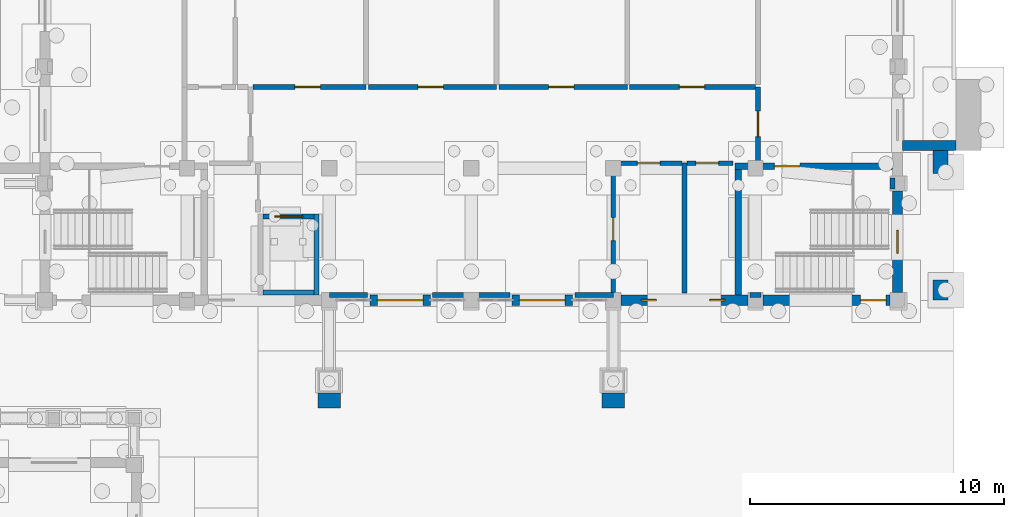
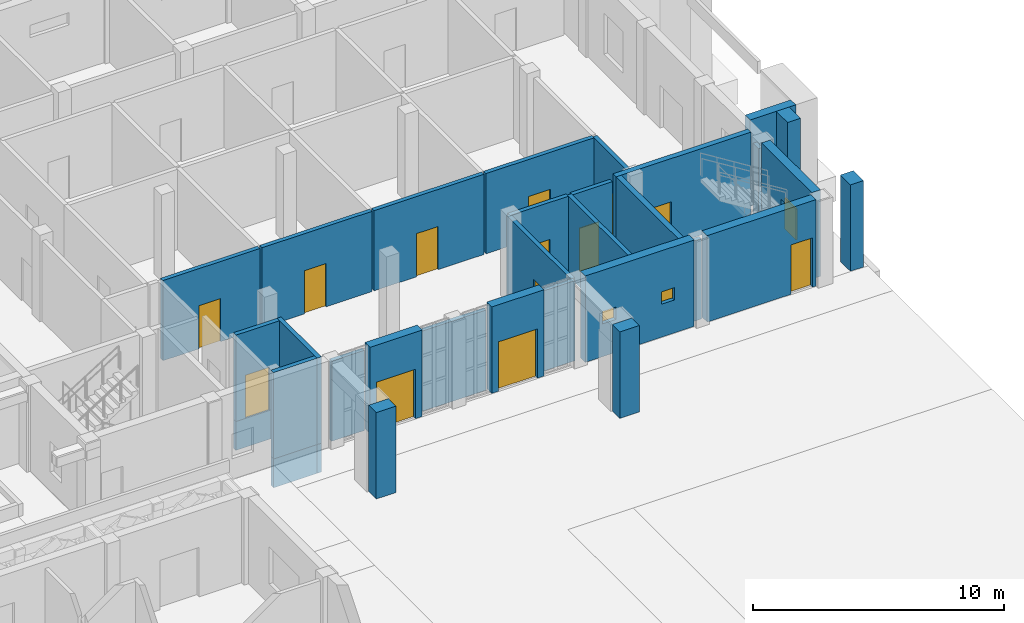
# One storey, part 75 of 112: 32 walls, 13 doors, 3 windows, 16 openings.
"""IFC4 building model written with IfcOpenShell, lengths in metres."""

from ifc_helpers import new_model, si_unit, direction, frame, frame_2d, origin, place, context, subcontext, project, spatial, rectangle, extrude, material, layer, layer_set, type_object, element, fill, save


model = new_model("IFC4")

# Units and contexts
model_context = context("Model", 3, precision=1e-05, world=origin(), true_north=direction((0.0, 1.0)))
body_context = subcontext(model_context, "Body", "Model", "MODEL_VIEW")
ifc_project = project(units=[si_unit("LENGTHUNIT", "METRE"), si_unit("AREAUNIT", "SQUARE_METRE"), si_unit("VOLUMEUNIT", "CUBIC_METRE"), si_unit("PLANEANGLEUNIT", "RADIAN"), si_unit("MASSUNIT", "GRAM", prefix="KILO")], contexts=[model_context])

# Site, building, storey
site_placement = place(None, origin())
site = spatial("IfcSite", under=ifc_project, at=site_placement, CompositionType="ELEMENT")
building_placement = place(site_placement, origin())
building = spatial("IfcBuilding", under=site, at=building_placement, Name="Wasatch Bagh Community Centre", CompositionType="ELEMENT")
storey_placement = place(building_placement, origin())
storey = spatial("IfcBuildingStorey", under=building, at=storey_placement, Name="L00", CompositionType="ELEMENT", Elevation=0.0)

# Walls
ifc_material_1 = material(Name="Concrete C40", Category="concrete")
ifc_layer_1 = layer(ifc_material_1, 0.60009765625)
ifc_layer_set_1 = layer_set([ifc_layer_1], Name="Concrete C40")
wall_type_1 = type_object("IfcWallType", Name="CL-W4", PredefinedType="STANDARD", material=ifc_layer_set_1)
for number, where, z_axis, x_axis, name in (
    (1, (122.949951171875, 34.25, 0.0), (0.0, 0.0, 1.0), (1.0, 0.0, 0.0), "CL-W4 pier buttress SHP1"),
    (2, (134.14990234375, 34.25, 0.0), (0.0, 0.0, 1.0), (1.0, 0.0, 0.0), "CL-W4 pier buttress SHP2"),
):
    element("IfcWall", number, at=place(storey_placement, frame(where, z_axis=z_axis, x_axis=x_axis)), inside=storey, type_object=wall_type_1, Name=name, PredefinedType="STANDARD", context=body_context, shape_type="SweptSolid", body=[
        extrude(rectangle(XDim=0.900146484375, YDim=0.60009765625, at=frame_2d((0.4501953125, 0.0))), origin(), (0.0, 0.0, 1.0), 4.199951171875),
    ])
ifc_layer_2 = layer(ifc_material_1, 0.199951171875)
ifc_layer_set_2 = layer_set([ifc_layer_2], Name="Concrete C40")
wall_type_2 = type_object("IfcWallType", Name="SH RC WALL 200 shear", PredefinedType="SHEAR", material=ifc_layer_set_2)
wall_1_placement = place(storey_placement, frame((122.89990234375, 38.39990234375, 0.0), z_axis=(0.0, 0.0, 1.0), x_axis=(0.0, 1.0, 0.0)))
element("IfcWall", 3, at=wall_1_placement, inside=storey, type_object=wall_type_2, Name="SH.core.LF1.L00.E", PredefinedType="SHEAR", context=body_context, shape_type="SweptSolid", body=[
    extrude(rectangle(XDim=3.2001953125, YDim=0.199951171875, at=frame_2d((1.60009765625, 0.0))), origin(), (0.0, 0.0, 1.0), 4.199951171875),
])
wall_2_placement = place(storey_placement, frame((120.800048828125, 38.5, 0.0), z_axis=(0.0, 0.0, 1.0), x_axis=(1.0, 0.0, 0.0)))
element("IfcWall", 4, at=wall_2_placement, inside=storey, type_object=wall_type_2, Name="SH.core.LF1.L00.S", PredefinedType="SHEAR", context=body_context, shape_type="SweptSolid", body=[
    extrude(rectangle(XDim=2.0, YDim=0.199951171875, at=frame_2d((1.0, 0.0))), origin(), (0.0, 0.0, 1.0), 4.199951171875),
])

# Wall, opening, door
wall_3_placement = place(storey_placement, frame((120.800048828125, 41.5, 0.0), z_axis=(0.0, 0.0, 1.0), x_axis=(1.0, 0.0, 0.0)))
wall_3 = element("IfcWall", 5, at=wall_3_placement, inside=storey, type_object=wall_type_2, Name="SH.core.LF1.L00.N", PredefinedType="SHEAR", context=body_context, shape_type="SweptSolid", body=[
    extrude(rectangle(XDim=2.0, YDim=0.199951171875, at=frame_2d((1.0, 0.0))), origin(), (0.0, 0.0, 1.0), 4.199951171875),
])
opening_1_placement = place(wall_3_placement, frame((0.449951171875, 0.0, 0.0)))
opening_1 = element("IfcOpeningElement", 6, at=opening_1_placement, cuts=wall_3, Name="Opening 0S-08", PredefinedType="OPENING", context=body_context, shape_type="SweptSolid", body=[
    extrude(rectangle(XDim=1.10009765625, YDim=2.10009765625, at=frame_2d((0.550048828125, 1.050048828125))), frame((0.0, 0.10986328125, 0.0), z_axis=(0.0, -1.0, 0.0), x_axis=(1.0, 0.0, 0.0)), (0.0, 0.0, 1.0), 0.219970703125),
])
ifc_material_2 = material(Name="Stainless steel", Category="steel")
door_type_1 = type_object("IfcDoorType", Name="SH door 1100x2100 landing", OperationType="SLIDING_TO_LEFT", PredefinedType="DOOR", material=ifc_material_2)
door_1_placement = place(opening_1_placement, origin())
door_1 = element("IfcDoor", 7, at=door_1_placement, inside=storey, type_object=door_type_1, Name="SH.door.L00.0S-08", OperationType="SLIDING_TO_LEFT", OverallHeight=2.10009765625, OverallWidth=1.10009765625, PredefinedType="DOOR", context=body_context, shape_type="SweptSolid", body=[
    extrude(rectangle(XDim=1.10009765625, YDim=2.10009765625, at=frame_2d((0.550048828125, 1.050048828125))), frame((0.0, 0.02490234375, 0.0), z_axis=(0.0, -1.0, 0.0), x_axis=(1.0, 0.0, 0.0)), (0.0, 0.0, 1.0), 0.050048828125),
])
fill(opening_1, door_1)

# Walls
wall_4_placement = place(storey_placement, frame((122.89990234375, 38.39990234375, -1.39990234375), z_axis=(0.0, 0.0, 1.0), x_axis=(0.0, 1.0, 0.0)))
element("IfcWall", 8, at=wall_4_placement, inside=storey, type_object=wall_type_2, Name="SH.core.LF1.PIT.E", PredefinedType="SHEAR", context=body_context, shape_type="SweptSolid", body=[
    extrude(rectangle(XDim=3.2001953125, YDim=0.199951171875, at=frame_2d((1.60009765625, 0.0))), origin(), (0.0, 0.0, 1.0), 1.39990234375),
])
for number, where, z_axis, x_axis, name in (
    (9, (120.800048828125, 38.5, -1.39990234375), (0.0, 0.0, 1.0), (1.0, 0.0, 0.0), "SH.core.LF1.PIT.S"),
    (10, (120.800048828125, 41.5, -1.39990234375), (0.0, 0.0, 1.0), (1.0, 0.0, 0.0), "SH.core.LF1.PIT.N"),
):
    element("IfcWall", number, at=place(storey_placement, frame(where, z_axis=z_axis, x_axis=x_axis)), inside=storey, type_object=wall_type_2, Name=name, PredefinedType="SHEAR", context=body_context, shape_type="SweptSolid", body=[
        extrude(rectangle(XDim=2.0, YDim=0.199951171875, at=frame_2d((1.0, 0.0))), origin(), (0.0, 0.0, 1.0), 1.39990234375),
    ])
ifc_layer_3 = layer(ifc_material_1, 0.25)
ifc_layer_set_3 = layer_set([ifc_layer_3], Name="Concrete C40")
wall_type_3 = type_object("IfcWallType", Name="SH RC WALL 250 shear", PredefinedType="SHEAR", material=ifc_layer_set_3)
wall_5_placement = place(storey_placement, frame((139.52490234375, 38.39990234375, 0.0), z_axis=(0.0, 0.0, 1.0), x_axis=(0.0, 1.0, 0.0)))
element("IfcWall", 11, at=wall_5_placement, inside=storey, type_object=wall_type_3, Name="SH.core.ST2.L00.W", PredefinedType="SHEAR", context=body_context, shape_type="SweptSolid", body=[
    extrude(rectangle(XDim=4.9501953125, YDim=0.25, at=frame_2d((2.47509765625, 0.0))), origin(), (0.0, 0.0, 1.0), 4.199951171875),
])

# Wall, opening, door
wall_6_placement = place(storey_placement, frame((139.39990234375, 43.47509765625, 0.0), z_axis=(0.0, 0.0, 1.0), x_axis=(1.0, 0.0, 0.0)))
wall_6 = element("IfcWall", 12, at=wall_6_placement, inside=storey, type_object=wall_type_3, Name="SH.core.ST2.L00.N", PredefinedType="SHEAR", context=body_context, shape_type="SweptSolid", body=[
    extrude(rectangle(XDim=6.2001953125, YDim=0.25, at=frame_2d((3.10009765625, 0.0))), origin(), (0.0, 0.0, 1.0), 4.199951171875),
])
opening_2_placement = place(wall_6_placement, frame((1.550048828125, 0.0, 0.0)))
opening_2 = element("IfcOpeningElement", 13, at=opening_2_placement, cuts=wall_6, Name="Opening 0S-29", PredefinedType="OPENING", context=body_context, shape_type="SweptSolid", body=[
    extrude(rectangle(XDim=1.0, YDim=2.10009765625, at=frame_2d((0.5, 1.050048828125))), frame((0.0, 0.135009765625, 0.0), z_axis=(0.0, -1.0, 0.0), x_axis=(1.0, 0.0, 0.0)), (0.0, 0.0, 1.0), 0.27001953125),
])
ifc_material_3 = material(Name="Painted hardwood timber", Category="wood")
door_type_2 = type_object("IfcDoorType", Name="SH door 1000x2100 single", OperationType="SINGLE_SWING_LEFT", PredefinedType="DOOR", material=ifc_material_3)
door_2_placement = place(opening_2_placement, origin())
door_2 = element("IfcDoor", 14, at=door_2_placement, inside=storey, type_object=door_type_2, Name="SH.door.L00.0S-29", OperationType="SINGLE_SWING_LEFT", OverallHeight=2.10009765625, OverallWidth=1.0, PredefinedType="DOOR", context=body_context, shape_type="SweptSolid", body=[
    extrude(rectangle(XDim=1.0, YDim=2.10009765625, at=frame_2d((0.5, 1.050048828125))), frame((0.0, 0.02490234375, 0.0), z_axis=(0.0, -1.0, 0.0), x_axis=(1.0, 0.0, 0.0)), (0.0, 0.0, 1.0), 0.050048828125),
])
fill(opening_2, door_2)

ifc_layer_4 = layer(ifc_material_1, 0.39990234375)
ifc_layer_set_4 = layer_set([ifc_layer_4], Name="Concrete C40")
wall_type_4 = type_object("IfcWallType", Name="SH RC WALL 400 solidwall", PredefinedType="SOLIDWALL", material=ifc_layer_set_4)
wall_7_placement = place(storey_placement, frame((127.39990234375, 38.199951171875, 0.0), z_axis=(0.0, 0.0, 1.0), x_axis=(-1.0, 0.0, 0.0)))
wall_7 = element("IfcWall", 15, at=wall_7_placement, inside=storey, type_object=wall_type_4, Name="SH.wall.L00.03", PredefinedType="SOLIDWALL", context=body_context, shape_type="SweptSolid", body=[
    extrude(rectangle(XDim=2.39990234375, YDim=0.39990234375, at=frame_2d((1.199951171875, 0.0))), origin(), (0.0, 0.0, 1.0), 4.199951171875),
])
opening_3_placement = place(wall_7_placement, frame((0.300048828125, 0.0, 0.0)))
opening_3 = element("IfcOpeningElement", 16, at=opening_3_placement, cuts=wall_7, Name="Opening 0S-01", PredefinedType="OPENING", context=body_context, shape_type="SweptSolid", body=[
    extrude(rectangle(XDim=1.800048828125, YDim=2.39990234375, at=frame_2d((0.89990234375, 1.199951171875))), frame((0.0, 0.2099609375, 0.0), z_axis=(0.0, -1.0, 0.0), x_axis=(1.0, 0.0, 0.0)), (0.0, 0.0, 1.0), 0.419921875),
])
ifc_material_4 = material(Name="Aluminium frame and glass", Category="aluminium")
door_type_3 = type_object("IfcDoorType", Name="SH door 1800x2400 double", OperationType="DOUBLE_DOOR_SINGLE_SWING", PredefinedType="DOOR", material=ifc_material_4)
door_3_placement = place(opening_3_placement, origin())
door_3 = element("IfcDoor", 17, at=door_3_placement, inside=storey, type_object=door_type_3, Name="SH.door.L00.0S-01", OperationType="DOUBLE_DOOR_SINGLE_SWING", OverallHeight=2.39990234375, OverallWidth=1.800048828125, PredefinedType="DOOR", context=body_context, shape_type="SweptSolid", body=[
    extrude(rectangle(XDim=1.800048828125, YDim=2.39990234375, at=frame_2d((0.89990234375, 1.199951171875))), frame((0.0, 0.02490234375, 0.0), z_axis=(0.0, -1.0, 0.0), x_axis=(1.0, 0.0, 0.0)), (0.0, 0.0, 1.0), 0.050048828125),
])
fill(opening_3, door_3)

wall_8_placement = place(storey_placement, frame((133.0, 38.199951171875, 0.0), z_axis=(0.0, 0.0, 1.0), x_axis=(-1.0, 0.0, 0.0)))
wall_8 = element("IfcWall", 18, at=wall_8_placement, inside=storey, type_object=wall_type_4, Name="SH.wall.L00.04", PredefinedType="SOLIDWALL", context=body_context, shape_type="SweptSolid", body=[
    extrude(rectangle(XDim=2.39990234375, YDim=0.39990234375, at=frame_2d((1.199951171875, 0.0))), origin(), (0.0, 0.0, 1.0), 4.199951171875),
])
opening_4_placement = place(wall_8_placement, frame((0.300048828125, 0.0, 0.0)))
opening_4 = element("IfcOpeningElement", 19, at=opening_4_placement, cuts=wall_8, Name="Opening 0S-02", PredefinedType="OPENING", context=body_context, shape_type="SweptSolid", body=[
    extrude(rectangle(XDim=1.800048828125, YDim=2.39990234375, at=frame_2d((0.89990234375, 1.199951171875))), frame((0.0, 0.2099609375, 0.0), z_axis=(0.0, -1.0, 0.0), x_axis=(1.0, 0.0, 0.0)), (0.0, 0.0, 1.0), 0.419921875),
])
door_4_placement = place(opening_4_placement, origin())
door_4 = element("IfcDoor", 20, at=door_4_placement, inside=storey, type_object=door_type_3, Name="SH.door.L00.0S-02", OperationType="DOUBLE_DOOR_SINGLE_SWING", OverallHeight=2.39990234375, OverallWidth=1.800048828125, PredefinedType="DOOR", context=body_context, shape_type="SweptSolid", body=[
    extrude(rectangle(XDim=1.800048828125, YDim=2.39990234375, at=frame_2d((0.89990234375, 1.199951171875))), frame((0.0, 0.02490234375, 0.0), z_axis=(0.0, -1.0, 0.0), x_axis=(1.0, 0.0, 0.0)), (0.0, 0.0, 1.0), 0.050048828125),
])
fill(opening_4, door_4)

# Wall, openings, windows
wall_9_placement = place(storey_placement, frame((139.89990234375, 38.199951171875, 0.0), z_axis=(0.0, 0.0, 1.0), x_axis=(-1.0, 0.0, 0.0)))
wall_9 = element("IfcWall", 21, at=wall_9_placement, inside=storey, type_object=wall_type_4, Name="SH.wall.L00.05", PredefinedType="SOLIDWALL", context=body_context, shape_type="SweptSolid", body=[
    extrude(rectangle(XDim=5.0, YDim=0.39990234375, at=frame_2d((2.5, 0.0))), origin(), (0.0, 0.0, 1.0), 4.199951171875),
])
opening_5_placement = place(wall_9_placement, frame((3.60009765625, 0.0, 1.60009765625)))
opening_5 = element("IfcOpeningElement", 22, at=opening_5_placement, cuts=wall_9, Name="Opening 0S-W07", PredefinedType="OPENING", context=body_context, shape_type="SweptSolid", body=[
    extrude(rectangle(XDim=0.60009765625, YDim=0.60009765625, at=frame_2d((0.300048828125, 0.300048828125))), frame((0.0, 0.2099609375, 0.0), z_axis=(0.0, -1.0, 0.0), x_axis=(1.0, 0.0, 0.0)), (0.0, 0.0, 1.0), 0.419921875),
])
opening_6_placement = place(wall_9_placement, frame((0.89990234375, 0.0, 1.60009765625)))
opening_6 = element("IfcOpeningElement", 23, at=opening_6_placement, cuts=wall_9, Name="Opening 0S-W08", PredefinedType="OPENING", context=body_context, shape_type="SweptSolid", body=[
    extrude(rectangle(XDim=0.60009765625, YDim=0.60009765625, at=frame_2d((0.300048828125, 0.300048828125))), frame((0.0, 0.2099609375, 0.0), z_axis=(0.0, -1.0, 0.0), x_axis=(1.0, 0.0, 0.0)), (0.0, 0.0, 1.0), 0.419921875),
])
ifc_material_5 = material(Name="Aluminium frame with double glazing", Category="aluminium")
window_type_1 = type_object("IfcWindowType", Name="SH window 600x600", PartitioningType="SINGLE_PANEL", PredefinedType="WINDOW", material=ifc_material_5)
window_1_placement = place(opening_5_placement, origin())
window_1 = element("IfcWindow", 24, at=window_1_placement, inside=storey, type_object=window_type_1, Name="SH.window.L00.0S-W07", OverallHeight=0.60009765625, OverallWidth=0.60009765625, PartitioningType="SINGLE_PANEL", PredefinedType="WINDOW", context=body_context, shape_type="SweptSolid", body=[
    extrude(rectangle(XDim=0.60009765625, YDim=0.60009765625, at=frame_2d((0.300048828125, 0.300048828125))), frame((0.0, 0.030029296875, 0.0), z_axis=(0.0, -1.0, 0.0), x_axis=(1.0, 0.0, 0.0)), (0.0, 0.0, 1.0), 0.06005859375),
])
fill(opening_5, window_1)
window_2_placement = place(opening_6_placement, origin())
window_2 = element("IfcWindow", 25, at=window_2_placement, inside=storey, type_object=window_type_1, Name="SH.window.L00.0S-W08", OverallHeight=0.60009765625, OverallWidth=0.60009765625, PartitioningType="SINGLE_PANEL", PredefinedType="WINDOW", context=body_context, shape_type="SweptSolid", body=[
    extrude(rectangle(XDim=0.60009765625, YDim=0.60009765625, at=frame_2d((0.300048828125, 0.300048828125))), frame((0.0, 0.030029296875, 0.0), z_axis=(0.0, -1.0, 0.0), x_axis=(1.0, 0.0, 0.0)), (0.0, 0.0, 1.0), 0.06005859375),
])
fill(opening_6, window_2)

# Wall, opening, door
wall_10_placement = place(storey_placement, frame((145.5, 38.199951171875, 0.0), z_axis=(0.0, 0.0, 1.0), x_axis=(-1.0, 0.0, 0.0)))
wall_10 = element("IfcWall", 26, at=wall_10_placement, inside=storey, type_object=wall_type_4, Name="SH.wall.L00.06", PredefinedType="SOLIDWALL", context=body_context, shape_type="SweptSolid", body=[
    extrude(rectangle(XDim=5.0, YDim=0.39990234375, at=frame_2d((2.5, 0.0))), origin(), (0.0, 0.0, 1.0), 4.199951171875),
])
opening_7_placement = place(wall_10_placement, frame((0.14990234375, 0.0, 0.0)))
opening_7 = element("IfcOpeningElement", 27, at=opening_7_placement, cuts=wall_10, Name="Opening 0S-04", PredefinedType="OPENING", context=body_context, shape_type="SweptSolid", body=[
    extrude(rectangle(XDim=1.0, YDim=2.39990234375, at=frame_2d((0.5, 1.199951171875))), frame((0.0, 0.2099609375, 0.0), z_axis=(0.0, -1.0, 0.0), x_axis=(1.0, 0.0, 0.0)), (0.0, 0.0, 1.0), 0.419921875),
])
door_type_4 = type_object("IfcDoorType", Name="SH door 1000x2400 single", OperationType="SINGLE_SWING_LEFT", PredefinedType="DOOR", material=ifc_material_3)
door_5_placement = place(opening_7_placement, origin())
door_5 = element("IfcDoor", 28, at=door_5_placement, inside=storey, type_object=door_type_4, Name="SH.door.L00.0S-04", OperationType="SINGLE_SWING_LEFT", OverallHeight=2.39990234375, OverallWidth=1.0, PredefinedType="DOOR", context=body_context, shape_type="SweptSolid", body=[
    extrude(rectangle(XDim=1.0, YDim=2.39990234375, at=frame_2d((0.5, 1.199951171875))), frame((0.0, 0.02490234375, 0.0), z_axis=(0.0, -1.0, 0.0), x_axis=(1.0, 0.0, 0.0)), (0.0, 0.0, 1.0), 0.050048828125),
])
fill(opening_7, door_5)

# Wall, opening, window
wall_11_placement = place(storey_placement, frame((145.800048828125, 38.5, 0.0), z_axis=(0.0, 0.0, 1.0), x_axis=(0.0, 1.0, 0.0)))
wall_11 = element("IfcWall", 29, at=wall_11_placement, inside=storey, type_object=wall_type_4, Name="SH.wall.L00.19", PredefinedType="SOLIDWALL", context=body_context, shape_type="SweptSolid", body=[
    extrude(rectangle(XDim=4.0, YDim=0.39990234375, at=frame_2d((2.0, 0.0))), origin(), (0.0, 0.0, 1.0), 4.199951171875),
])
opening_8_placement = place(wall_11_placement, frame((1.550048828125, 0.0, 0.89990234375)))
opening_8 = element("IfcOpeningElement", 30, at=opening_8_placement, cuts=wall_11, Name="Opening 0S-W10", PredefinedType="OPENING", context=body_context, shape_type="SweptSolid", body=[
    extrude(rectangle(XDim=0.89990234375, YDim=1.5, at=frame_2d((0.449951171875, 0.75))), frame((0.0, 0.2099609375, 0.0), z_axis=(0.0, -1.0, 0.0), x_axis=(1.0, 0.0, 0.0)), (0.0, 0.0, 1.0), 0.419921875),
])
window_type_2 = type_object("IfcWindowType", Name="SH window 900x1500", PartitioningType="SINGLE_PANEL", PredefinedType="WINDOW", material=ifc_material_5)
window_3_placement = place(opening_8_placement, origin())
window_3 = element("IfcWindow", 31, at=window_3_placement, inside=storey, type_object=window_type_2, Name="SH.window.L00.0S-W10", OverallHeight=1.5, OverallWidth=0.89990234375, PartitioningType="SINGLE_PANEL", PredefinedType="WINDOW", context=body_context, shape_type="SweptSolid", body=[
    extrude(rectangle(XDim=0.89990234375, YDim=1.5, at=frame_2d((0.449951171875, 0.75))), frame((0.0, 0.030029296875, 0.0), z_axis=(0.0, -1.0, 0.0), x_axis=(1.0, 0.0, 0.0)), (0.0, 0.0, 1.0), 0.06005859375),
])
fill(opening_8, window_3)

# Wall
ifc_material_6 = material(Name="Hollow block masonry, medium weight (ASTM Grade N)", Category="masonry")
ifc_layer_5 = layer(ifc_material_6, 0.18994140625)
ifc_layer_set_5 = layer_set([ifc_layer_5], Name="Hollow block masonry, medium weight (ASTM Grade N)")
wall_type_5 = type_object("IfcWallType", Name="SH partition 190", PredefinedType="PARTITIONING", material=ifc_layer_set_5)
wall_12_placement = place(storey_placement, frame((123.419921875, 38.39990234375, 0.0), z_axis=(0.0, 0.0, 1.0), x_axis=(1.0, 0.0, 0.0)))
element("IfcWall", 32, at=wall_12_placement, inside=storey, type_object=wall_type_5, Name="SH.part.L00.021", PredefinedType="PARTITIONING", context=body_context, shape_type="SweptSolid", body=[
    extrude(rectangle(XDim=1.5, YDim=0.18994140625, at=frame_2d((0.75, 0.0))), origin(), (0.0, 0.0, 1.0), 3.89990234375),
])

# Wall, opening, door
wall_13_placement = place(storey_placement, frame((124.85009765625, 46.60009765625, 0.0), z_axis=(0.0, 0.0, 1.0), x_axis=(-1.0, 0.0, 0.0)))
wall_13 = element("IfcWall", 33, at=wall_13_placement, inside=storey, type_object=wall_type_5, Name="SH.part.L00.025", PredefinedType="PARTITIONING", context=body_context, shape_type="SweptSolid", body=[
    extrude(rectangle(XDim=4.455078125, YDim=0.18994140625, at=frame_2d((2.2275390625, 0.0))), origin(), (0.0, 0.0, 1.0), 3.89990234375),
])
opening_9_placement = place(wall_13_placement, frame((1.800048828125, 0.0, 0.0)))
opening_9 = element("IfcOpeningElement", 34, at=opening_9_placement, cuts=wall_13, Name="Opening 0S-18", PredefinedType="OPENING", context=body_context, shape_type="SweptSolid", body=[
    extrude(rectangle(XDim=1.0, YDim=2.10009765625, at=frame_2d((0.5, 1.050048828125))), frame((0.0, 0.10498046875, 0.0), z_axis=(0.0, -1.0, 0.0), x_axis=(1.0, 0.0, 0.0)), (0.0, 0.0, 1.0), 0.2099609375),
])
door_6_placement = place(opening_9_placement, origin())
door_6 = element("IfcDoor", 35, at=door_6_placement, inside=storey, type_object=door_type_2, Name="SH.door.L00.0S-18", OperationType="SINGLE_SWING_LEFT", OverallHeight=2.10009765625, OverallWidth=1.0, PredefinedType="DOOR", context=body_context, shape_type="SweptSolid", body=[
    extrude(rectangle(XDim=1.0, YDim=2.10009765625, at=frame_2d((0.5, 1.050048828125))), frame((0.0, 0.02490234375, 0.0), z_axis=(0.0, -1.0, 0.0), x_axis=(1.0, 0.0, 0.0)), (0.0, 0.0, 1.0), 0.050048828125),
])
fill(opening_9, door_6)

# Wall
wall_14_placement = place(storey_placement, frame((127.47998046875, 38.39990234375, 0.0), z_axis=(0.0, 0.0, 1.0), x_axis=(1.0, 0.0, 0.0)))
element("IfcWall", 36, at=wall_14_placement, inside=storey, type_object=wall_type_5, Name="SH.part.L00.028", PredefinedType="PARTITIONING", context=body_context, shape_type="SweptSolid", body=[
    extrude(rectangle(XDim=3.0400390625, YDim=0.18994140625, at=frame_2d((1.52001953125, 0.0))), origin(), (0.0, 0.0, 1.0), 3.89990234375),
])

# Wall, opening, door
wall_15_placement = place(storey_placement, frame((130.0, 46.60009765625, 0.0), z_axis=(0.0, 0.0, 1.0), x_axis=(-1.0, 0.0, 0.0)))
wall_15 = element("IfcWall", 37, at=wall_15_placement, inside=storey, type_object=wall_type_5, Name="SH.part.L00.033", PredefinedType="PARTITIONING", context=body_context, shape_type="SweptSolid", body=[
    extrude(rectangle(XDim=5.054931640625, YDim=0.18994140625, at=frame_2d((2.52734375, 0.0))), origin(), (0.0, 0.0, 1.0), 3.89990234375),
])
opening_10_placement = place(wall_15_placement, frame((2.10009765625, 0.0, 0.0)))
opening_10 = element("IfcOpeningElement", 38, at=opening_10_placement, cuts=wall_15, Name="Opening 0S-20", PredefinedType="OPENING", context=body_context, shape_type="SweptSolid", body=[
    extrude(rectangle(XDim=1.0, YDim=2.10009765625, at=frame_2d((0.5, 1.050048828125))), frame((0.0, 0.10498046875, 0.0), z_axis=(0.0, -1.0, 0.0), x_axis=(1.0, 0.0, 0.0)), (0.0, 0.0, 1.0), 0.2099609375),
])
door_7_placement = place(opening_10_placement, origin())
door_7 = element("IfcDoor", 39, at=door_7_placement, inside=storey, type_object=door_type_2, Name="SH.door.L00.0S-20", OperationType="SINGLE_SWING_LEFT", OverallHeight=2.10009765625, OverallWidth=1.0, PredefinedType="DOOR", context=body_context, shape_type="SweptSolid", body=[
    extrude(rectangle(XDim=1.0, YDim=2.10009765625, at=frame_2d((0.5, 1.050048828125))), frame((0.0, 0.02490234375, 0.0), z_axis=(0.0, -1.0, 0.0), x_axis=(1.0, 0.0, 0.0)), (0.0, 0.0, 1.0), 0.050048828125),
])
fill(opening_10, door_7)

# Wall
wall_16_placement = place(storey_placement, frame((133.080078125, 38.39990234375, 0.0), z_axis=(0.0, 0.0, 1.0), x_axis=(1.0, 0.0, 0.0)))
element("IfcWall", 40, at=wall_16_placement, inside=storey, type_object=wall_type_5, Name="SH.part.L00.036", PredefinedType="PARTITIONING", context=body_context, shape_type="SweptSolid", body=[
    extrude(rectangle(XDim=1.52001953125, YDim=0.18994140625, at=frame_2d((0.760009765625, 0.0))), origin(), (0.0, 0.0, 1.0), 3.89990234375),
])

# Wall, opening, door
wall_17_placement = place(storey_placement, frame((134.60009765625, 38.4951171875, 0.0), z_axis=(0.0, 0.0, 1.0), x_axis=(0.0, 1.0, 0.0)))
wall_17 = element("IfcWall", 41, at=wall_17_placement, inside=storey, type_object=wall_type_5, Name="SH.part.L00.037", PredefinedType="PARTITIONING", context=body_context, shape_type="SweptSolid", body=[
    extrude(rectangle(XDim=5.0849609375, YDim=0.18994140625, at=frame_2d((2.54248046875, 0.0))), origin(), (0.0, 0.0, 1.0), 3.89990234375),
])
opening_11_placement = place(wall_17_placement, frame((2.054931640625, 0.0, 0.0)))
opening_11 = element("IfcOpeningElement", 42, at=opening_11_placement, cuts=wall_17, Name="Opening 0S-10", PredefinedType="OPENING", context=body_context, shape_type="SweptSolid", body=[
    extrude(rectangle(XDim=0.89990234375, YDim=2.10009765625, at=frame_2d((0.449951171875, 1.050048828125))), frame((0.0, 0.10498046875, 0.0), z_axis=(0.0, -1.0, 0.0), x_axis=(1.0, 0.0, 0.0)), (0.0, 0.0, 1.0), 0.2099609375),
])
door_type_5 = type_object("IfcDoorType", Name="SH door 900x2100 single", OperationType="SINGLE_SWING_LEFT", PredefinedType="DOOR", material=ifc_material_3)
door_8_placement = place(opening_11_placement, origin())
door_8 = element("IfcDoor", 43, at=door_8_placement, inside=storey, type_object=door_type_5, Name="SH.door.L00.0S-10", OperationType="SINGLE_SWING_LEFT", OverallHeight=2.10009765625, OverallWidth=0.89990234375, PredefinedType="DOOR", context=body_context, shape_type="SweptSolid", body=[
    extrude(rectangle(XDim=0.89990234375, YDim=2.10009765625, at=frame_2d((0.449951171875, 1.050048828125))), frame((0.0, 0.02490234375, 0.0), z_axis=(0.0, -1.0, 0.0), x_axis=(1.0, 0.0, 0.0)), (0.0, 0.0, 1.0), 0.050048828125),
])
fill(opening_11, door_8)

wall_18_placement = place(storey_placement, frame((135.14990234375, 46.60009765625, 0.0), z_axis=(0.0, 0.0, 1.0), x_axis=(-1.0, 0.0, 0.0)))
wall_18 = element("IfcWall", 44, at=wall_18_placement, inside=storey, type_object=wall_type_5, Name="SH.part.L00.042", PredefinedType="PARTITIONING", context=body_context, shape_type="SweptSolid", body=[
    extrude(rectangle(XDim=5.054931640625, YDim=0.18994140625, at=frame_2d((2.52734375, 0.0))), origin(), (0.0, 0.0, 1.0), 3.89990234375),
])
opening_12_placement = place(wall_18_placement, frame((2.10009765625, 0.0, 0.0)))
opening_12 = element("IfcOpeningElement", 45, at=opening_12_placement, cuts=wall_18, Name="Opening 0S-21", PredefinedType="OPENING", context=body_context, shape_type="SweptSolid", body=[
    extrude(rectangle(XDim=1.0, YDim=2.10009765625, at=frame_2d((0.5, 1.050048828125))), frame((0.0, 0.10498046875, 0.0), z_axis=(0.0, -1.0, 0.0), x_axis=(1.0, 0.0, 0.0)), (0.0, 0.0, 1.0), 0.2099609375),
])
door_9_placement = place(opening_12_placement, origin())
door_9 = element("IfcDoor", 46, at=door_9_placement, inside=storey, type_object=door_type_2, Name="SH.door.L00.0S-21", OperationType="SINGLE_SWING_LEFT", OverallHeight=2.10009765625, OverallWidth=1.0, PredefinedType="DOOR", context=body_context, shape_type="SweptSolid", body=[
    extrude(rectangle(XDim=1.0, YDim=2.10009765625, at=frame_2d((0.5, 1.050048828125))), frame((0.0, 0.02490234375, 0.0), z_axis=(0.0, -1.0, 0.0), x_axis=(1.0, 0.0, 0.0)), (0.0, 0.0, 1.0), 0.050048828125),
])
fill(opening_12, door_9)

wall_19_placement = place(storey_placement, frame((137.304931640625, 43.60009765625, 0.0), z_axis=(0.0, 0.0, 1.0), x_axis=(-1.0, 0.0, 0.0)))
wall_19 = element("IfcWall", 47, at=wall_19_placement, inside=storey, type_object=wall_type_5, Name="SH.part.L00.045", PredefinedType="PARTITIONING", context=body_context, shape_type="SweptSolid", body=[
    extrude(rectangle(XDim=2.684814453125, YDim=0.18994140625, at=frame_2d((1.34228515625, 0.0))), origin(), (0.0, 0.0, 1.0), 3.89990234375),
])
opening_13_placement = place(wall_19_placement, frame((0.85498046875, 0.0, 0.0)))
opening_13 = element("IfcOpeningElement", 48, at=opening_13_placement, cuts=wall_19, Name="Opening 0S-11", PredefinedType="OPENING", context=body_context, shape_type="SweptSolid", body=[
    extrude(rectangle(XDim=0.89990234375, YDim=2.10009765625, at=frame_2d((0.449951171875, 1.050048828125))), frame((0.0, 0.10498046875, 0.0), z_axis=(0.0, -1.0, 0.0), x_axis=(1.0, 0.0, 0.0)), (0.0, 0.0, 1.0), 0.2099609375),
])
door_10_placement = place(opening_13_placement, origin())
door_10 = element("IfcDoor", 49, at=door_10_placement, inside=storey, type_object=door_type_5, Name="SH.door.L00.0S-11", OperationType="SINGLE_SWING_LEFT", OverallHeight=2.10009765625, OverallWidth=0.89990234375, PredefinedType="DOOR", context=body_context, shape_type="SweptSolid", body=[
    extrude(rectangle(XDim=0.89990234375, YDim=2.10009765625, at=frame_2d((0.449951171875, 1.050048828125))), frame((0.0, 0.02490234375, 0.0), z_axis=(0.0, -1.0, 0.0), x_axis=(1.0, 0.0, 0.0)), (0.0, 0.0, 1.0), 0.050048828125),
])
fill(opening_13, door_10)

# Wall
wall_20_placement = place(storey_placement, frame((137.39990234375, 38.47998046875, 0.0), z_axis=(0.0, 0.0, 1.0), x_axis=(0.0, 1.0, 0.0)))
element("IfcWall", 50, at=wall_20_placement, inside=storey, type_object=wall_type_5, Name="SH.part.L00.046", PredefinedType="PARTITIONING", context=body_context, shape_type="SweptSolid", body=[
    extrude(rectangle(XDim=5.1201171875, YDim=0.18994140625, at=frame_2d((2.56005859375, 0.0))), origin(), (0.0, 0.0, 1.0), 3.89990234375),
])

# Wall, opening, door
wall_21_placement = place(storey_placement, frame((139.320068359375, 43.60009765625, 0.0), z_axis=(0.0, 0.0, 1.0), x_axis=(-1.0, 0.0, 0.0)))
wall_21 = element("IfcWall", 51, at=wall_21_placement, inside=storey, type_object=wall_type_5, Name="SH.part.L00.047", PredefinedType="PARTITIONING", context=body_context, shape_type="SweptSolid", body=[
    extrude(rectangle(XDim=1.824951171875, YDim=0.18994140625, at=frame_2d((0.91259765625, 0.0))), origin(), (0.0, 0.0, 1.0), 3.89990234375),
])
opening_14_placement = place(wall_21_placement, frame((0.570068359375, 0.0, 0.0)))
opening_14 = element("IfcOpeningElement", 52, at=opening_14_placement, cuts=wall_21, Name="Opening 0S-12", PredefinedType="OPENING", context=body_context, shape_type="SweptSolid", body=[
    extrude(rectangle(XDim=0.89990234375, YDim=2.10009765625, at=frame_2d((0.449951171875, 1.050048828125))), frame((0.0, 0.10498046875, 0.0), z_axis=(0.0, -1.0, 0.0), x_axis=(1.0, 0.0, 0.0)), (0.0, 0.0, 1.0), 0.2099609375),
])
door_11_placement = place(opening_14_placement, origin())
door_11 = element("IfcDoor", 53, at=door_11_placement, inside=storey, type_object=door_type_5, Name="SH.door.L00.0S-12", OperationType="SINGLE_SWING_LEFT", OverallHeight=2.10009765625, OverallWidth=0.89990234375, PredefinedType="DOOR", context=body_context, shape_type="SweptSolid", body=[
    extrude(rectangle(XDim=0.89990234375, YDim=2.10009765625, at=frame_2d((0.449951171875, 1.050048828125))), frame((0.0, 0.02490234375, 0.0), z_axis=(0.0, -1.0, 0.0), x_axis=(1.0, 0.0, 0.0)), (0.0, 0.0, 1.0), 0.050048828125),
])
fill(opening_14, door_11)

# Wall
wall_22_placement = place(storey_placement, frame((139.97998046875, 38.39990234375, 0.0), z_axis=(0.0, 0.0, 1.0), x_axis=(1.0, 0.0, 0.0)))
element("IfcWall", 54, at=wall_22_placement, inside=storey, type_object=wall_type_5, Name="SH.part.L00.049", PredefinedType="PARTITIONING", context=body_context, shape_type="SweptSolid", body=[
    extrude(rectangle(XDim=0.43994140625, YDim=0.18994140625, at=frame_2d((0.219970703125, 0.0))), origin(), (0.0, 0.0, 1.0), 3.89990234375),
])

# Wall, opening, door
wall_23_placement = place(storey_placement, frame((140.205078125, 46.60009765625, 0.0), z_axis=(0.0, 0.0, 1.0), x_axis=(-1.0, 0.0, 0.0)))
wall_23 = element("IfcWall", 55, at=wall_23_placement, inside=storey, type_object=wall_type_5, Name="SH.part.L00.050", PredefinedType="PARTITIONING", context=body_context, shape_type="SweptSolid", body=[
    extrude(rectangle(XDim=4.9599609375, YDim=0.18994140625, at=frame_2d((2.47998046875, 0.0))), origin(), (0.0, 0.0, 1.0), 3.89990234375),
])
opening_15_placement = place(wall_23_placement, frame((2.0048828125, 0.0, 0.0)))
opening_15 = element("IfcOpeningElement", 56, at=opening_15_placement, cuts=wall_23, Name="Opening 0S-22", PredefinedType="OPENING", context=body_context, shape_type="SweptSolid", body=[
    extrude(rectangle(XDim=1.0, YDim=2.10009765625, at=frame_2d((0.5, 1.050048828125))), frame((0.0, 0.10498046875, 0.0), z_axis=(0.0, -1.0, 0.0), x_axis=(1.0, 0.0, 0.0)), (0.0, 0.0, 1.0), 0.2099609375),
])
door_12_placement = place(opening_15_placement, origin())
door_12 = element("IfcDoor", 57, at=door_12_placement, inside=storey, type_object=door_type_2, Name="SH.door.L00.0S-22", OperationType="SINGLE_SWING_LEFT", OverallHeight=2.10009765625, OverallWidth=1.0, PredefinedType="DOOR", context=body_context, shape_type="SweptSolid", body=[
    extrude(rectangle(XDim=1.0, YDim=2.10009765625, at=frame_2d((0.5, 1.050048828125))), frame((0.0, 0.02490234375, 0.0), z_axis=(0.0, -1.0, 0.0), x_axis=(1.0, 0.0, 0.0)), (0.0, 0.0, 1.0), 0.050048828125),
])
fill(opening_15, door_12)

wall_24_placement = place(storey_placement, frame((140.300048828125, 43.679931640625, 0.0), z_axis=(0.0, 0.0, 1.0), x_axis=(0.0, 1.0, 0.0)))
wall_24 = element("IfcWall", 58, at=wall_24_placement, inside=storey, type_object=wall_type_5, Name="SH.part.L00.053", PredefinedType="PARTITIONING", context=body_context, shape_type="SweptSolid", body=[
    extrude(rectangle(XDim=2.920166015625, YDim=0.18994140625, at=frame_2d((1.4599609375, 0.0))), origin(), (0.0, 0.0, 1.0), 3.89990234375),
])
opening_16_placement = place(wall_24_placement, frame((0.969970703125, 0.0, 0.0)))
opening_16 = element("IfcOpeningElement", 59, at=opening_16_placement, cuts=wall_24, Name="Opening 0S-30", PredefinedType="OPENING", context=body_context, shape_type="SweptSolid", body=[
    extrude(rectangle(XDim=1.0, YDim=2.10009765625, at=frame_2d((0.5, 1.050048828125))), frame((0.0, 0.10498046875, 0.0), z_axis=(0.0, -1.0, 0.0), x_axis=(1.0, 0.0, 0.0)), (0.0, 0.0, 1.0), 0.2099609375),
])
door_13_placement = place(opening_16_placement, origin())
door_13 = element("IfcDoor", 60, at=door_13_placement, inside=storey, type_object=door_type_2, Name="SH.door.L00.0S-30", OperationType="SINGLE_SWING_LEFT", OverallHeight=2.10009765625, OverallWidth=1.0, PredefinedType="DOOR", context=body_context, shape_type="SweptSolid", body=[
    extrude(rectangle(XDim=1.0, YDim=2.10009765625, at=frame_2d((0.5, 1.050048828125))), frame((0.0, 0.02490234375, 0.0), z_axis=(0.0, -1.0, 0.0), x_axis=(1.0, 0.0, 0.0)), (0.0, 0.0, 1.0), 0.050048828125),
])
fill(opening_16, door_13)

# Walls
wall_25_placement = place(storey_placement, frame((145.60009765625, 42.580078125, 0.0), z_axis=(0.0, 0.0, 1.0), x_axis=(0.0, 1.0, 0.0)))
element("IfcWall", 61, at=wall_25_placement, inside=storey, type_object=wall_type_5, Name="SH.part.L00.058", PredefinedType="PARTITIONING", context=body_context, shape_type="SweptSolid", body=[
    extrude(rectangle(XDim=0.43994140625, YDim=0.18994140625, at=frame_2d((0.219970703125, 0.0))), origin(), (0.0, 0.0, 1.0), 3.89990234375),
])
ifc_layer_6 = layer(ifc_material_1, 0.60009765625)
ifc_layer_set_6 = layer_set([ifc_layer_6], Name="Concrete C40")
wall_type_6 = type_object("IfcWallType", Name="SHB-W4", PredefinedType="STANDARD", material=ifc_layer_set_6)
wall_26_placement = place(storey_placement, frame((147.5, 38.199951171875, 0.0), z_axis=(0.0, 0.0, 1.0), x_axis=(0.0, 1.0, 0.0)))
element("IfcWall", 62, at=wall_26_placement, inside=storey, type_object=wall_type_6, Name="SHB-W4 gable arcade bay pier panel", PredefinedType="STANDARD", context=body_context, shape_type="SweptSolid", body=[
    extrude(rectangle(XDim=0.800048828125, YDim=0.60009765625, at=frame_2d((0.39990234375, 0.0))), origin(), (0.0, 0.0, 1.0), 4.199951171875),
])
wall_27_placement = place(storey_placement, frame((147.5, 44.10009765625, 0.0), z_axis=(0.0, 0.0, 1.0), x_axis=(0.0, -1.0, 0.0)))
element("IfcWall", 63, at=wall_27_placement, inside=storey, type_object=wall_type_6, Name="SHB-W4 gable arcade bay pier panel", PredefinedType="STANDARD", context=body_context, shape_type="SweptSolid", body=[
    extrude(rectangle(XDim=0.900146484375, YDim=0.60009765625, at=frame_2d((0.4501953125, 0.0))), origin(), (0.0, 0.0, 1.0), 4.199951171875),
])
ifc_layer_7 = layer(ifc_material_1, 0.39990234375)
ifc_layer_set_7 = layer_set([ifc_layer_7], Name="Concrete C40")
wall_type_7 = type_object("IfcWallType", Name="SHEQ-W5", PredefinedType="STANDARD", material=ifc_layer_set_7)
wall_28_placement = place(storey_placement, frame((148.10009765625, 44.300048828125, 0.0), z_axis=(0.0, 0.0, 1.0), x_axis=(-1.0, 0.0, 0.0)))
element("IfcWall", 64, at=wall_28_placement, inside=storey, type_object=wall_type_7, Name="SHEQ-W5 pishtaq return wall E", PredefinedType="STANDARD", context=body_context, shape_type="SweptSolid", body=[
    extrude(rectangle(XDim=2.10009765625, YDim=0.39990234375, at=frame_2d((1.050048828125, 0.0))), origin(), (0.0, 0.0, 1.0), 4.199951171875),
])

save(model, "model.ifc")
